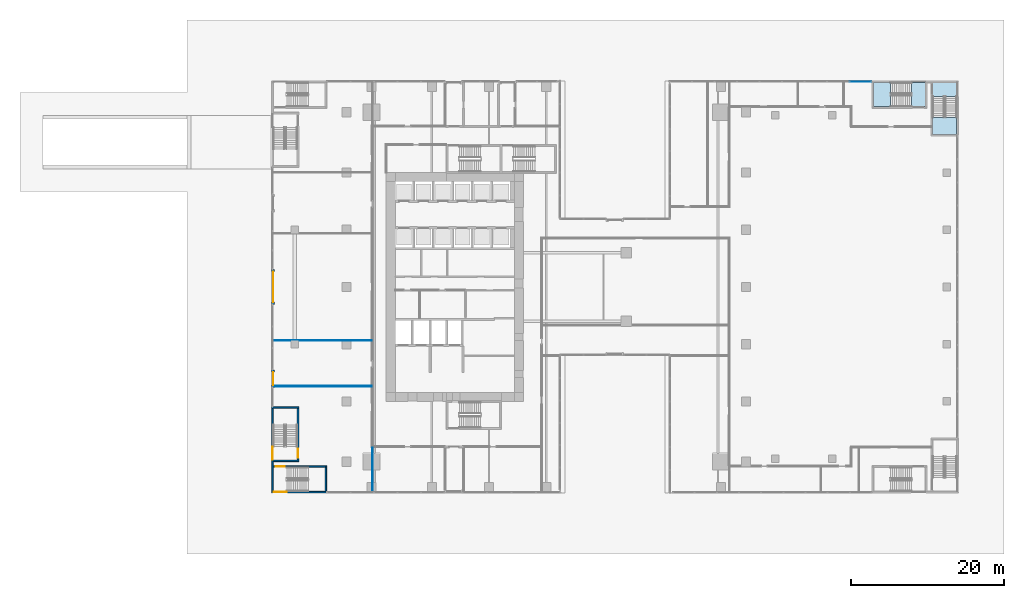
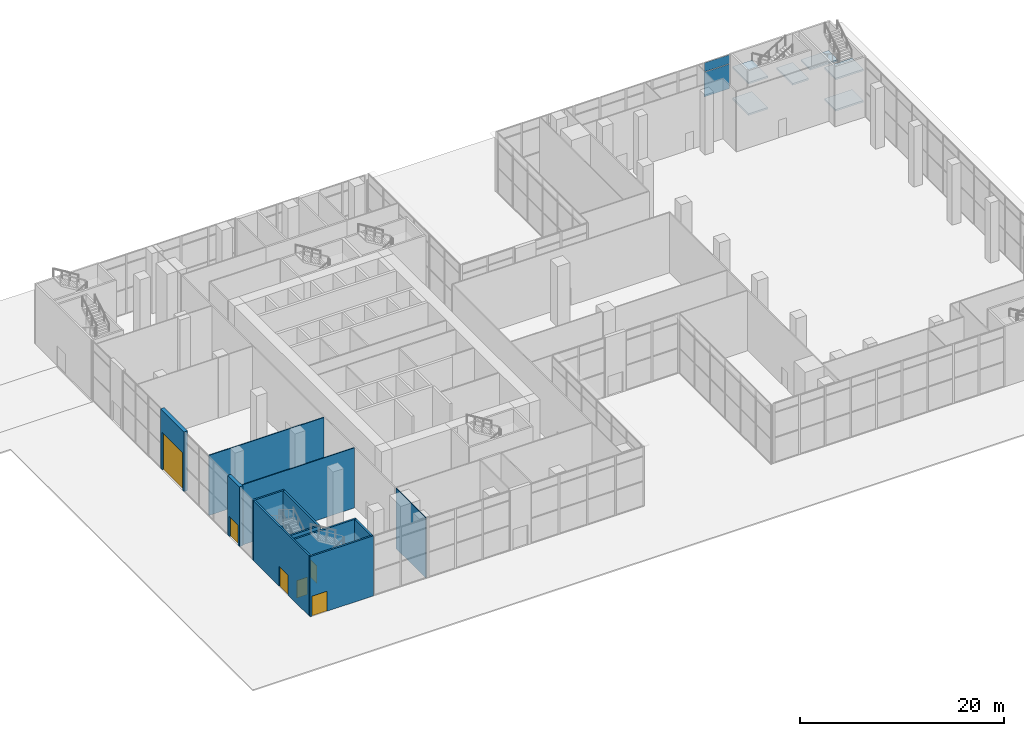
# One storey, part 36 of 52: 12 walls, 6 doors, 6 slabs, 2 plates, 6 openings, 3 elements without a shape of their own.
"""IFC4 building model written with IfcOpenShell, lengths in metres."""

from ifc_helpers import new_model, si_unit, direction, frame, frame_2d, origin, origin_2d, place, context, subcontext, project, spatial, polyline, rectangle, outline, extrude, source, transform, mapped, material, layer, layer_set, type_object, element, fill, aggregate, save


model = new_model("IFC4")

# Units and contexts
model_context = context("Model", 3, precision=1e-05, world=origin(), true_north=direction((0.0, 1.0)))
body_context = subcontext(model_context, "Body", "Model", "MODEL_VIEW")
ifc_project = project(units=[si_unit("LENGTHUNIT", "METRE"), si_unit("AREAUNIT", "SQUARE_METRE"), si_unit("VOLUMEUNIT", "CUBIC_METRE"), si_unit("PLANEANGLEUNIT", "RADIAN"), si_unit("MASSUNIT", "GRAM", prefix="KILO")], contexts=[model_context])

# Site, building, storey
site_placement = place(None, origin())
site = spatial("IfcSite", under=ifc_project, at=site_placement, CompositionType="ELEMENT")
building_placement = place(site_placement, origin())
building = spatial("IfcBuilding", under=site, at=building_placement, Name="Khomas Fold Tower", CompositionType="ELEMENT")
storey_placement = place(building_placement, origin())
storey = spatial("IfcBuildingStorey", under=building, at=storey_placement, Name="L00", CompositionType="ELEMENT", Elevation=0.0)

# Curtain wall, plates
ifc_material_1 = material(Name="Aluminium framed double glazing", Category="aluminium")
curtain_wall_type = type_object("IfcCurtainWallType", Name="Shopfront glazing PD-CW", PredefinedType="NOTDEFINED", material=ifc_material_1)
curtain_wall_placement = place(storey_placement, origin())
curtain_wall = element("IfcCurtainWall", 1, at=curtain_wall_placement, inside=storey, type_object=curtain_wall_type, Name="Podium shopfront run", PredefinedType="NOTDEFINED")
ifc_material_2 = material(Name="Double glazed unit")
ifc_layer_1 = layer(ifc_material_2, 0.031982421875)
ifc_layer_set_1 = layer_set([ifc_layer_1], Name="Double glazed unit")
plate_type = type_object("IfcPlateType", Name="Shopfront glazing panel PD-CW-P", PredefinedType="CURTAIN_PANEL", material=ifc_layer_set_1)
shared_shape_1 = source(origin(), body_context, "Body", "SweptSolid", [
    extrude(rectangle(XDim=2.85888671875, YDim=0.031982421875, at=origin_2d()), origin(), (0.0, 0.0, 1.0), 2.93994140625),
])
plate_1_placement = place(storey_placement, frame((68.200439453125, 53.919921875, 3.030029296875), z_axis=(0.0, 0.0, 1.0), x_axis=(-1.0, 0.0, 0.0)))
plate_1 = element("IfcPlate", 2, at=plate_1_placement, type_object=plate_type, Name="PD-CW panel 1.2", PredefinedType="CURTAIN_PANEL", context=body_context, shape_type="MappedRepresentation", body=[
    mapped(shared_shape_1, transform((0.0, 0.0, 0.0))),
])
shared_shape_2 = source(origin(), body_context, "Body", "SweptSolid", [
    extrude(rectangle(XDim=2.85888671875, YDim=0.031982421875, at=origin_2d()), origin(), (0.0, 0.0, 1.0), 1.06005859375),
])
plate_2_placement = place(storey_placement, frame((68.200439453125, 53.919921875, 6.030029296875), z_axis=(0.0, 0.0, 1.0), x_axis=(-1.0, 0.0, 0.0)))
plate_2 = element("IfcPlate", 3, at=plate_2_placement, type_object=plate_type, Name="PD-CW panel 1.3", PredefinedType="CURTAIN_PANEL", context=body_context, shape_type="MappedRepresentation", body=[
    mapped(shared_shape_2, transform((0.0, 0.0, 0.0))),
])
aggregate(curtain_wall, [plate_1, plate_2])

# Stair, slabs
ifc_material_3 = material(Name="Concrete C40/50", Category="concrete")
stair_type_1 = type_object("IfcStairType", Name="Stair PS5", PredefinedType="HALF_TURN_STAIR", material=ifc_material_3)
stair_1_placement = place(storey_placement, origin())
stair_1 = element("IfcStair", 4, at=stair_1_placement, inside=storey, type_object=stair_type_1, Name="L00 PS5", PredefinedType="HALF_TURN_STAIR")
ifc_material_4 = material(Name="Concrete C40/50", Category="concrete")
ifc_layer_2 = layer(ifc_material_4, 0.199951171875)
ifc_layer_set_2 = layer_set([ifc_layer_2], Name="Concrete C40/50")
slab_type = type_object("IfcSlabType", Name="Stair landing 200", PredefinedType="LANDING", material=ifc_layer_set_2)
shared_shape_3 = source(origin(), body_context, "Body", "SweptSolid", [
    extrude(outline(polyline([(72.10009765625, 53.800048828125), (69.89990234375, 53.800048828125), (69.89990234375, 50.64990234375), (72.10009765625, 50.64990234375), (72.10009765625, 53.800048828125)])), origin(), (0.0, 0.0, 1.0), 0.199951171875),
])
slab_1_placement = place(storey_placement, frame((0.0, 0.0, 1.675048828125)))
slab_1 = element("IfcSlab", 5, at=slab_1_placement, type_object=slab_type, Name="PS5 landing 1", PredefinedType="LANDING", context=body_context, shape_type="MappedRepresentation", body=[
    mapped(shared_shape_3, transform((0.0, 0.0, 0.0))),
])
slab_2_placement = place(storey_placement, frame((0.0, 0.0, 5.425048828125)))
slab_2 = element("IfcSlab", 6, at=slab_2_placement, type_object=slab_type, Name="PS5 landing 3", PredefinedType="LANDING", context=body_context, shape_type="MappedRepresentation", body=[
    mapped(shared_shape_3, transform((0.0, 0.0, 0.0))),
])
shared_shape_4 = source(origin(), body_context, "Body", "SweptSolid", [
    extrude(outline(polyline([(76.699951171875, 53.800048828125), (74.89990234375, 53.800048828125), (74.89990234375, 50.64990234375), (76.699951171875, 50.64990234375), (76.699951171875, 53.800048828125)])), origin(), (0.0, 0.0, 1.0), 0.199951171875),
])
slab_3_placement = place(storey_placement, frame((0.0, 0.0, 3.550048828125)))
slab_3 = element("IfcSlab", 7, at=slab_3_placement, type_object=slab_type, Name="PS5 landing 2", PredefinedType="LANDING", context=body_context, shape_type="MappedRepresentation", body=[
    mapped(shared_shape_4, transform((0.0, 0.0, 0.0))),
])
aggregate(stair_1, [slab_1, slab_3, slab_2])

ifc_material_5 = material(Name="Concrete C40/50", Category="concrete")
stair_type_2 = type_object("IfcStairType", Name="Stair PS6", PredefinedType="HALF_TURN_STAIR", material=ifc_material_5)
stair_2_placement = place(storey_placement, origin())
stair_2 = element("IfcStair", 8, at=stair_2_placement, inside=storey, type_object=stair_type_2, Name="L00 PS6", PredefinedType="HALF_TURN_STAIR")
shared_shape_5 = source(origin(), body_context, "Body", "SweptSolid", [
    extrude(outline(polyline([(77.64990234375, 49.199951171875), (77.64990234375, 47.0), (80.800048828125, 47.0), (80.800048828125, 49.199951171875), (77.64990234375, 49.199951171875)])), origin(), (0.0, 0.0, 1.0), 0.199951171875),
])
slab_4_placement = place(storey_placement, frame((0.0, 0.0, 1.675048828125)))
slab_4 = element("IfcSlab", 9, at=slab_4_placement, type_object=slab_type, Name="PS6 landing 1", PredefinedType="LANDING", context=body_context, shape_type="MappedRepresentation", body=[
    mapped(shared_shape_5, transform((0.0, 0.0, 0.0))),
])
slab_5_placement = place(storey_placement, frame((0.0, 0.0, 5.425048828125)))
slab_5 = element("IfcSlab", 10, at=slab_5_placement, type_object=slab_type, Name="PS6 landing 3", PredefinedType="LANDING", context=body_context, shape_type="MappedRepresentation", body=[
    mapped(shared_shape_5, transform((0.0, 0.0, 0.0))),
])
shared_shape_6 = source(origin(), body_context, "Body", "SweptSolid", [
    extrude(outline(polyline([(77.64990234375, 53.800048828125), (77.64990234375, 52.0), (80.800048828125, 52.0), (80.800048828125, 53.800048828125), (77.64990234375, 53.800048828125)])), origin(), (0.0, 0.0, 1.0), 0.199951171875),
])
slab_6_placement = place(storey_placement, frame((0.0, 0.0, 3.550048828125)))
slab_6 = element("IfcSlab", 11, at=slab_6_placement, type_object=slab_type, Name="PS6 landing 2", PredefinedType="LANDING", context=body_context, shape_type="MappedRepresentation", body=[
    mapped(shared_shape_6, transform((0.0, 0.0, 0.0))),
])
aggregate(stair_2, [slab_4, slab_6, slab_5])

# Wall, opening, door
ifc_material_6 = material(Name="Concrete C30/37", Category="concrete")
ifc_layer_3 = layer(ifc_material_6, 0.199951171875)
ifc_layer_set_3 = layer_set([ifc_layer_3], Name="Concrete C30/37")
wall_type_1 = type_object("IfcWallType", Name="Stair wall PW5 200", PredefinedType="PARTITIONING", material=ifc_layer_set_3)
shared_shape_7 = source(origin(), body_context, "Body", "SweptSolid", [
    extrude(rectangle(XDim=7.0, YDim=0.199951171875, at=frame_2d((3.5, 0.0))), origin(), (0.0, 0.0, 1.0), 7.199951171875),
])
wall_1_placement = place(storey_placement, frame((-8.800048828125, 3.449951171875, 0.0), z_axis=(0.0, 0.0, 1.0), x_axis=(1.0, 0.0, 0.0)))
wall_1 = element("IfcWall", 12, at=wall_1_placement, inside=storey, type_object=wall_type_1, Name="Stair wall", PredefinedType="PARTITIONING", context=body_context, shape_type="MappedRepresentation", body=[
    mapped(shared_shape_7, transform((0.0, 0.0, 0.0))),
])
shared_shape_8 = source(origin(), body_context, "Body", "SweptSolid", [
    extrude(rectangle(XDim=1.199951171875, YDim=2.10009765625, at=frame_2d((0.60009765625, 1.050048828125))), frame((0.0, 0.10986328125, 0.0), z_axis=(0.0, -1.0, 0.0), x_axis=(1.0, 0.0, 0.0)), (0.0, 0.0, 1.0), 0.219970703125),
])
opening_1_placement = place(wall_1_placement, frame((0.300048828125, 0.0, 0.0)))
opening_1 = element("IfcOpeningElement", 13, at=opening_1_placement, cuts=wall_1, Name="Opening 0017", PredefinedType="OPENING", context=body_context, shape_type="MappedRepresentation", body=[
    mapped(shared_shape_8, transform((0.0, 0.0, 0.0))),
])
ifc_material_7 = material(Name="Steel door leaf", Category="steel")
door_type_1 = type_object("IfcDoorType", Name="Stair door 1200x2100 left-hand", OperationType="SINGLE_SWING_LEFT", PredefinedType="DOOR", material=ifc_material_7)
shared_shape_9 = source(origin(), body_context, "Body", "SweptSolid", [
    extrude(rectangle(XDim=1.199951171875, YDim=2.10009765625, at=frame_2d((0.60009765625, 1.050048828125))), frame((0.0, 0.02490234375, 0.0), z_axis=(0.0, -1.0, 0.0), x_axis=(1.0, 0.0, 0.0)), (0.0, 0.0, 1.0), 0.050048828125),
])
door_1_placement = place(opening_1_placement, origin())
door_1 = element("IfcDoor", 14, at=door_1_placement, inside=storey, type_object=door_type_1, Name="Stair door", OperationType="SINGLE_SWING_LEFT", OverallHeight=2.10009765625, OverallWidth=1.199951171875, PredefinedType="DOOR", context=body_context, shape_type="MappedRepresentation", body=[
    mapped(shared_shape_9, transform((0.0, 0.0, 0.0))),
])
fill(opening_1, door_1)

ifc_material_8 = material(Name="Concrete C40/50", Category="concrete")
ifc_layer_4 = layer(ifc_material_8, 0.39990234375)
ifc_layer_set_4 = layer_set([ifc_layer_4], Name="Concrete C40/50")
wall_type_2 = type_object("IfcWallType", Name="Stone-clad concrete wall 400", PredefinedType="SOLIDWALL", material=ifc_layer_set_4)
shared_shape_10 = source(origin(), body_context, "Body", "SweptSolid", [
    extrude(rectangle(XDim=2.2998046875, YDim=0.39990234375, at=frame_2d((1.14990234375, 0.0))), origin(), (0.0, 0.0, 1.0), 7.14990234375),
])
wall_2_placement = place(storey_placement, frame((-8.800048828125, 16.14990234375, 0.0), z_axis=(0.0, 0.0, 1.0), x_axis=(0.0, -1.0, 0.0)))
wall_2 = element("IfcWall", 15, at=wall_2_placement, inside=storey, type_object=wall_type_2, Name="Podium wall", PredefinedType="SOLIDWALL", context=body_context, shape_type="MappedRepresentation", body=[
    mapped(shared_shape_10, transform((0.0, 0.0, 0.0))),
])
shared_shape_11 = source(origin(), body_context, "Body", "SweptSolid", [
    extrude(rectangle(XDim=1.699951171875, YDim=2.39990234375, at=frame_2d((0.85009765625, 1.199951171875))), frame((0.0, 0.2099609375, 0.0), z_axis=(0.0, -1.0, 0.0), x_axis=(1.0, 0.0, 0.0)), (0.0, 0.0, 1.0), 0.419921875),
])
opening_2_placement = place(wall_2_placement, frame((2.0, 0.0, 0.0), z_axis=(0.0, 0.0, 1.0), x_axis=(-1.0, 0.0, 0.0)))
opening_2 = element("IfcOpeningElement", 16, at=opening_2_placement, cuts=wall_2, Name="Opening X14", PredefinedType="OPENING", context=body_context, shape_type="MappedRepresentation", body=[
    mapped(shared_shape_11, transform((0.0, 0.0, 0.0))),
])
ifc_material_9 = material(Name="Aluminium framed glazing", Category="aluminium")
door_type_2 = type_object("IfcDoorType", Name="Glazed pedestrian door 1700 x 2400", OperationType="DOUBLE_DOOR_SINGLE_SWING", PredefinedType="DOOR", material=ifc_material_9)
shared_shape_12 = source(origin(), body_context, "Body", "SweptSolid", [
    extrude(rectangle(XDim=1.699951171875, YDim=2.39990234375, at=frame_2d((0.85009765625, 1.199951171875))), frame((0.0, 0.02490234375, 0.0), z_axis=(0.0, -1.0, 0.0), x_axis=(1.0, 0.0, 0.0)), (0.0, 0.0, 1.0), 0.050048828125),
])
door_2_placement = place(opening_2_placement, origin())
door_2 = element("IfcDoor", 17, at=door_2_placement, inside=storey, type_object=door_type_2, Name="Exit X14", OperationType="DOUBLE_DOOR_SINGLE_SWING", OverallHeight=2.39990234375, OverallWidth=1.699951171875, PredefinedType="DOOR", context=body_context, shape_type="MappedRepresentation", body=[
    mapped(shared_shape_12, transform((0.0, 0.0, 0.0))),
])
fill(opening_2, door_2)

shared_shape_13 = source(origin(), body_context, "Body", "SweptSolid", [
    extrude(rectangle(XDim=4.60009765625, YDim=0.39990234375, at=frame_2d((2.300048828125, 0.0))), origin(), (0.0, 0.0, 1.0), 7.14990234375),
])
wall_3_placement = place(storey_placement, frame((-8.800048828125, 29.300048828125, 0.0), z_axis=(0.0, 0.0, 1.0), x_axis=(0.0, -1.0, 0.0)))
wall_3 = element("IfcWall", 18, at=wall_3_placement, inside=storey, type_object=wall_type_2, Name="Podium wall", PredefinedType="SOLIDWALL", context=body_context, shape_type="MappedRepresentation", body=[
    mapped(shared_shape_13, transform((0.0, 0.0, 0.0))),
])
shared_shape_14 = source(origin(), body_context, "Body", "SweptSolid", [
    extrude(rectangle(XDim=4.0, YDim=4.5, at=frame_2d((2.0, 2.25))), frame((0.0, 0.2099609375, 0.0), z_axis=(0.0, -1.0, 0.0), x_axis=(1.0, 0.0, 0.0)), (0.0, 0.0, 1.0), 0.419921875),
])
opening_3_placement = place(wall_3_placement, frame((4.300048828125, 0.0, 0.0), z_axis=(0.0, 0.0, 1.0), x_axis=(-1.0, 0.0, 0.0)))
opening_3 = element("IfcOpeningElement", 19, at=opening_3_placement, cuts=wall_3, Name="Opening V1", PredefinedType="OPENING", context=body_context, shape_type="MappedRepresentation", body=[
    mapped(shared_shape_14, transform((0.0, 0.0, 0.0))),
])
ifc_material_10 = material(Name="Galvanised steel", Category="steel")
door_type_3 = type_object("IfcDoorType", Name="Roller shutter gate 4000 x 4500", OperationType="ROLLINGUP", PredefinedType="GATE", material=ifc_material_10)
shared_shape_15 = source(origin(), body_context, "Body", "SweptSolid", [
    extrude(rectangle(XDim=4.0, YDim=4.5, at=frame_2d((2.0, 2.25))), frame((0.0, 0.02490234375, 0.0), z_axis=(0.0, -1.0, 0.0), x_axis=(1.0, 0.0, 0.0)), (0.0, 0.0, 1.0), 0.050048828125),
])
door_3_placement = place(opening_3_placement, origin())
door_3 = element("IfcDoor", 20, at=door_3_placement, inside=storey, type_object=door_type_3, Name="Vehicle gate V1", OperationType="ROLLINGUP", OverallHeight=4.5, OverallWidth=4.0, PredefinedType="GATE", context=body_context, shape_type="MappedRepresentation", body=[
    mapped(shared_shape_15, transform((0.0, 0.0, 0.0))),
])
fill(opening_3, door_3)

shared_shape_16 = source(origin(), body_context, "Body", "SweptSolid", [
    extrude(rectangle(XDim=7.199951171875, YDim=0.199951171875, at=frame_2d((3.60009765625, 0.0))), origin(), (0.0, 0.0, 1.0), 7.199951171875),
])
wall_4_placement = place(storey_placement, frame((-9.0, 0.10009765625, 0.0), z_axis=(0.0, 0.0, 1.0), x_axis=(1.0, 0.0, 0.0)))
wall_4 = element("IfcWall", 21, at=wall_4_placement, inside=storey, type_object=wall_type_1, Name="Stair wall", PredefinedType="PARTITIONING", context=body_context, shape_type="MappedRepresentation", body=[
    mapped(shared_shape_16, transform((0.0, 0.0, 0.0))),
])
shared_shape_17 = source(origin(), body_context, "Body", "SweptSolid", [
    extrude(rectangle(XDim=1.699951171875, YDim=2.39990234375, at=frame_2d((0.85009765625, 1.199951171875))), frame((0.0, 0.10986328125, 0.0), z_axis=(0.0, -1.0, 0.0), x_axis=(1.0, 0.0, 0.0)), (0.0, 0.0, 1.0), 0.219970703125),
])
opening_4_placement = place(wall_4_placement, frame((1.949951171875, 0.0, 0.0), z_axis=(0.0, 0.0, 1.0), x_axis=(-1.0, 0.0, 0.0)))
opening_4 = element("IfcOpeningElement", 22, at=opening_4_placement, cuts=wall_4, Name="Opening X1", PredefinedType="OPENING", context=body_context, shape_type="MappedRepresentation", body=[
    mapped(shared_shape_17, transform((0.0, 0.0, 0.0))),
])
ifc_material_11 = material(Name="Steel door leaf", Category="steel")
door_type_4 = type_object("IfcDoorType", Name="Stair discharge door 1700x2400", OperationType="DOUBLE_DOOR_SINGLE_SWING", PredefinedType="DOOR", material=ifc_material_11)
door_4_placement = place(opening_4_placement, origin())
door_4 = element("IfcDoor", 23, at=door_4_placement, inside=storey, type_object=door_type_4, Name="Stair discharge door", OperationType="DOUBLE_DOOR_SINGLE_SWING", OverallHeight=2.39990234375, OverallWidth=1.699951171875, PredefinedType="DOOR", context=body_context, shape_type="MappedRepresentation", body=[
    mapped(shared_shape_12, transform((0.0, 0.0, 0.0))),
])
fill(opening_4, door_4)

shared_shape_18 = source(origin(), body_context, "Body", "SweptSolid", [
    extrude(rectangle(XDim=10.900146484375, YDim=0.199951171875, at=frame_2d((5.4501953125, 0.0))), origin(), (0.0, 0.0, 1.0), 7.199951171875),
])
wall_5_placement = place(storey_placement, frame((-8.89990234375, 0.199951171875, 0.0), z_axis=(0.0, 0.0, 1.0), x_axis=(0.0, 1.0, 0.0)))
wall_5 = element("IfcWall", 24, at=wall_5_placement, inside=storey, type_object=wall_type_1, Name="Stair wall", PredefinedType="PARTITIONING", context=body_context, shape_type="MappedRepresentation", body=[
    mapped(shared_shape_18, transform((0.0, 0.0, 0.0))),
])
opening_5_placement = place(wall_5_placement, frame((4.14990234375, 0.0, 0.0)))
opening_5 = element("IfcOpeningElement", 25, at=opening_5_placement, cuts=wall_5, Name="Opening X2", PredefinedType="OPENING", context=body_context, shape_type="MappedRepresentation", body=[
    mapped(shared_shape_17, transform((0.0, 0.0, 0.0))),
])
door_5_placement = place(opening_5_placement, origin())
door_5 = element("IfcDoor", 26, at=door_5_placement, inside=storey, type_object=door_type_4, Name="Stair discharge door", OperationType="DOUBLE_DOOR_SINGLE_SWING", OverallHeight=2.39990234375, OverallWidth=1.699951171875, PredefinedType="DOOR", context=body_context, shape_type="MappedRepresentation", body=[
    mapped(shared_shape_12, transform((0.0, 0.0, 0.0))),
])
fill(opening_5, door_5)

# Walls
shared_shape_19 = source(origin(), body_context, "Body", "SweptSolid", [
    extrude(rectangle(XDim=3.150146484375, YDim=0.199951171875, at=frame_2d((1.5751953125, 0.0))), origin(), (0.0, 0.0, 1.0), 7.199951171875),
])
wall_6_placement = place(storey_placement, frame((-1.89990234375, 0.199951171875, 0.0), z_axis=(0.0, 0.0, 1.0), x_axis=(0.0, 1.0, 0.0)))
element("IfcWall", 27, at=wall_6_placement, inside=storey, type_object=wall_type_1, Name="Stair wall", PredefinedType="PARTITIONING", context=body_context, shape_type="MappedRepresentation", body=[
    mapped(shared_shape_19, transform((0.0, 0.0, 0.0))),
])
shared_shape_20 = source(origin(), body_context, "Body", "SweptSolid", [
    extrude(rectangle(XDim=3.35009765625, YDim=0.199951171875, at=frame_2d((1.675048828125, 0.0))), origin(), (0.0, 0.0, 1.0), 7.199951171875),
])
wall_7_placement = place(storey_placement, frame((-8.800048828125, 4.199951171875, 0.0), z_axis=(0.0, 0.0, 1.0), x_axis=(1.0, 0.0, 0.0)))
element("IfcWall", 28, at=wall_7_placement, inside=storey, type_object=wall_type_1, Name="Stair wall", PredefinedType="PARTITIONING", context=body_context, shape_type="MappedRepresentation", body=[
    mapped(shared_shape_20, transform((0.0, 0.0, 0.0))),
])
shared_shape_21 = source(origin(), body_context, "Body", "SweptSolid", [
    extrude(rectangle(XDim=3.550048828125, YDim=0.199951171875, at=frame_2d((1.77490234375, 0.0))), origin(), (0.0, 0.0, 1.0), 7.199951171875),
])
wall_8_placement = place(storey_placement, frame((-9.0, 11.199951171875, 0.0), z_axis=(0.0, 0.0, 1.0), x_axis=(1.0, 0.0, 0.0)))
element("IfcWall", 29, at=wall_8_placement, inside=storey, type_object=wall_type_1, Name="Stair wall", PredefinedType="PARTITIONING", context=body_context, shape_type="MappedRepresentation", body=[
    mapped(shared_shape_21, transform((0.0, 0.0, 0.0))),
])

# Wall, opening, door
shared_shape_22 = source(origin(), body_context, "Body", "SweptSolid", [
    extrude(rectangle(XDim=6.800048828125, YDim=0.199951171875, at=frame_2d((3.39990234375, 0.0))), origin(), (0.0, 0.0, 1.0), 7.199951171875),
])
wall_9_placement = place(storey_placement, frame((-5.550048828125, 4.300048828125, 0.0), z_axis=(0.0, 0.0, 1.0), x_axis=(0.0, 1.0, 0.0)))
wall_9 = element("IfcWall", 30, at=wall_9_placement, inside=storey, type_object=wall_type_1, Name="Stair wall", PredefinedType="PARTITIONING", context=body_context, shape_type="MappedRepresentation", body=[
    mapped(shared_shape_22, transform((0.0, 0.0, 0.0))),
])
opening_6_placement = place(wall_9_placement, frame((0.300048828125, 0.0, 0.0)))
opening_6 = element("IfcOpeningElement", 31, at=opening_6_placement, cuts=wall_9, Name="Opening 0017", PredefinedType="OPENING", context=body_context, shape_type="MappedRepresentation", body=[
    mapped(shared_shape_8, transform((0.0, 0.0, 0.0))),
])
door_6_placement = place(opening_6_placement, origin())
door_6 = element("IfcDoor", 32, at=door_6_placement, inside=storey, type_object=door_type_1, Name="Stair door", OperationType="SINGLE_SWING_LEFT", OverallHeight=2.10009765625, OverallWidth=1.199951171875, PredefinedType="DOOR", context=body_context, shape_type="MappedRepresentation", body=[
    mapped(shared_shape_9, transform((0.0, 0.0, 0.0))),
])
fill(opening_6, door_6)

# Walls
ifc_material_12 = material(Name="Plasterboard partition")
ifc_layer_5 = layer(ifc_material_12, 0.10009765625)
ifc_layer_set_5 = layer_set([ifc_layer_5], Name="Plasterboard partition")
wall_type_3 = type_object("IfcWallType", Name="Partition PW1 100", PredefinedType="PARTITIONING", material=ifc_layer_set_5)
shared_shape_23 = source(origin(), body_context, "Body", "SweptSolid", [
    extrude(rectangle(XDim=5.849853515625, YDim=0.10009765625, at=frame_2d((2.9248046875, 0.0))), origin(), (0.0, 0.0, 1.0), 7.199951171875),
])
wall_10_placement = place(storey_placement, frame((4.199951171875, 0.10009765625, 0.0), z_axis=(0.0, 0.0, 1.0), x_axis=(0.0, 1.0, 0.0)))
element("IfcWall", 33, at=wall_10_placement, inside=storey, type_object=wall_type_3, Name="Partition", PredefinedType="PARTITIONING", context=body_context, shape_type="MappedRepresentation", body=[
    mapped(shared_shape_23, transform((0.0, 0.0, 0.0))),
])
shared_shape_24 = source(origin(), body_context, "Body", "SweptSolid", [
    extrude(rectangle(XDim=12.7001953125, YDim=0.10009765625, at=frame_2d((6.35009765625, 0.0))), origin(), (0.0, 0.0, 1.0), 7.199951171875),
])
wall_11_placement = place(storey_placement, frame((-8.60009765625, 14.0, 0.0), z_axis=(0.0, 0.0, 1.0), x_axis=(1.0, 0.0, 0.0)))
element("IfcWall", 34, at=wall_11_placement, inside=storey, type_object=wall_type_3, Name="Partition", PredefinedType="PARTITIONING", context=body_context, shape_type="MappedRepresentation", body=[
    mapped(shared_shape_24, transform((0.0, 0.0, 0.0))),
])
shared_shape_25 = source(origin(), body_context, "Body", "SweptSolid", [
    extrude(rectangle(XDim=13.0, YDim=0.10009765625, at=frame_2d((6.5, 0.0))), origin(), (0.0, 0.0, 1.0), 7.199951171875),
])
wall_12_placement = place(storey_placement, frame((-8.89990234375, 20.0, 0.0), z_axis=(0.0, 0.0, 1.0), x_axis=(1.0, 0.0, 0.0)))
element("IfcWall", 35, at=wall_12_placement, inside=storey, type_object=wall_type_3, Name="Partition", PredefinedType="PARTITIONING", context=body_context, shape_type="MappedRepresentation", body=[
    mapped(shared_shape_25, transform((0.0, 0.0, 0.0))),
])

save(model, "model.ifc")
